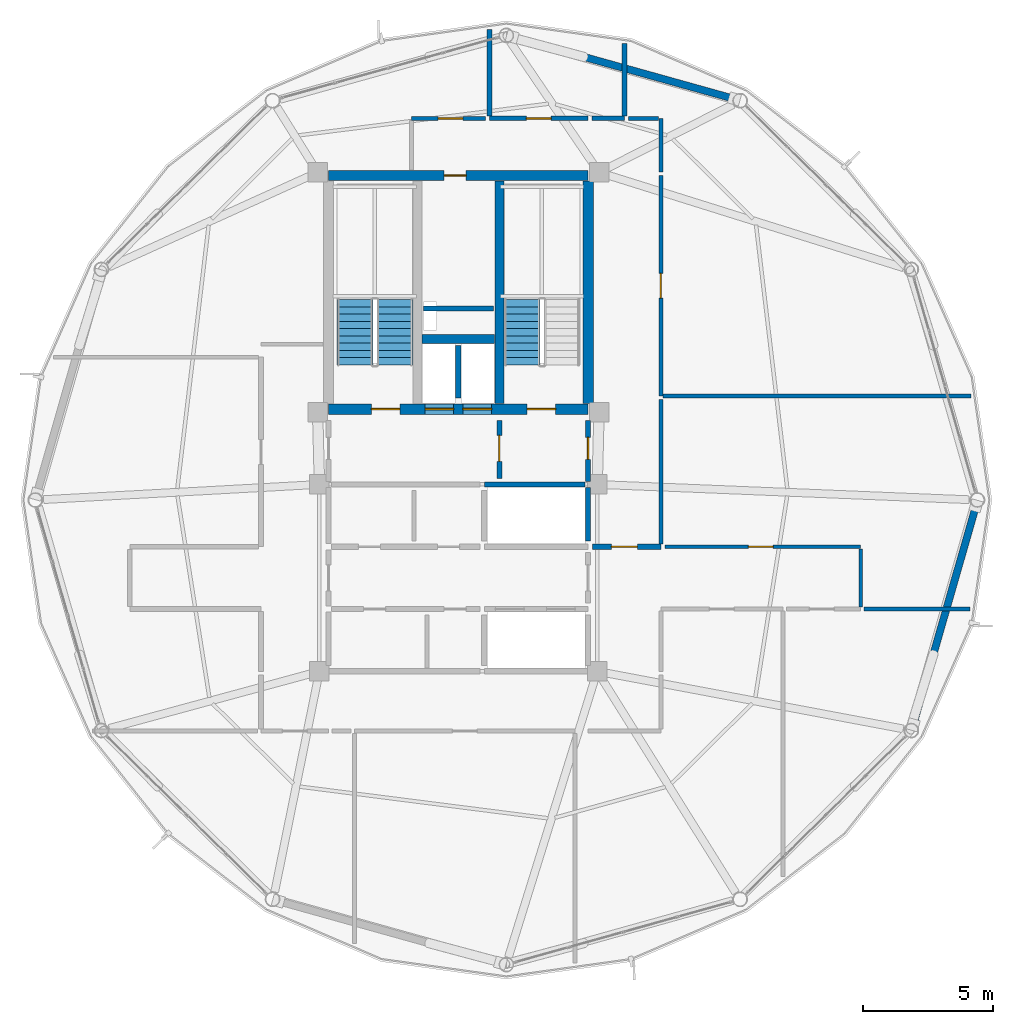
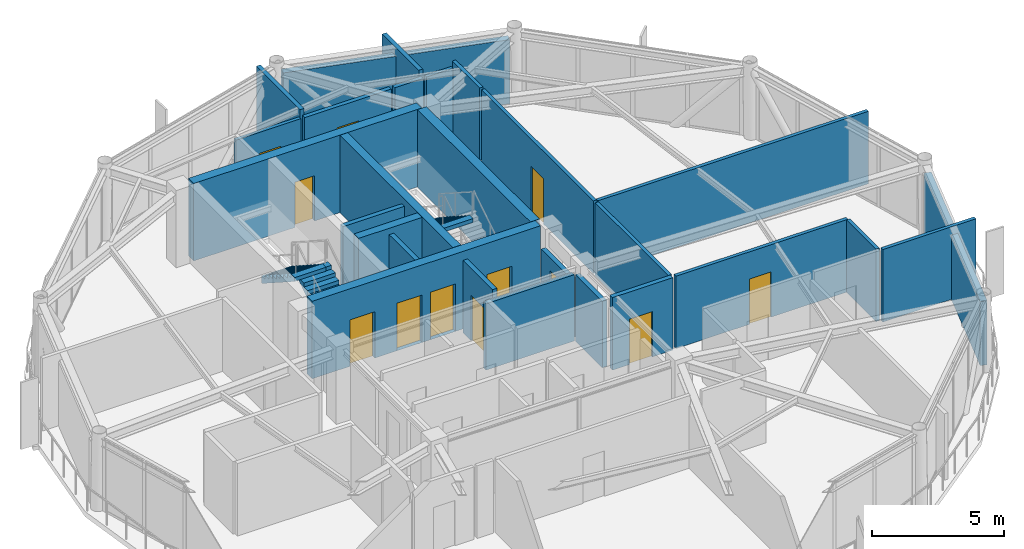
# One storey, part 22 of 26: 27 walls, 12 doors, 3 stair flights, 12 openings, 2 elements without a shape of their own.
"""IFC4 building model written with IfcOpenShell, lengths in metres."""

from ifc_helpers import new_model, si_unit, direction, frame, frame_2d, origin, place, context, subcontext, project, spatial, polyline, rectangle, outline, extrude, material, layer, layer_set, type_object, element, fill, aggregate, save


model = new_model("IFC4")

# Units and contexts
model_context = context("Model", 3, precision=1e-05, world=origin(), true_north=direction((0.0, 1.0)))
body_context = subcontext(model_context, "Body", "Model", "MODEL_VIEW")
ifc_project = project(units=[si_unit("LENGTHUNIT", "METRE"), si_unit("AREAUNIT", "SQUARE_METRE"), si_unit("VOLUMEUNIT", "CUBIC_METRE"), si_unit("PLANEANGLEUNIT", "RADIAN"), si_unit("MASSUNIT", "GRAM", prefix="KILO")], contexts=[model_context])

# Site, building, storey
site_placement = place(None, origin())
site = spatial("IfcSite", under=ifc_project, at=site_placement, CompositionType="ELEMENT")
building_placement = place(site_placement, origin())
building = spatial("IfcBuilding", under=site, at=building_placement, Name="Varnakorn Sky Granary", CompositionType="ELEMENT")
storey_placement = place(building_placement, frame((0.0, 0.0, 267.0)))
storey = spatial("IfcBuildingStorey", under=building, at=storey_placement, Name="L68", CompositionType="ELEMENT", Elevation=267.0)

# Walls
ifc_material_1 = material(Name="Concrete C50/60", Category="concrete")
ifc_layer_1 = layer(ifc_material_1, 0.35009765625, Name="Concrete C50/60")
ifc_layer_set_1 = layer_set([ifc_layer_1], Name="Concrete C50/60")
wall_type_1 = type_object("IfcWallType", Name="WT-CW-INT-350", PredefinedType="SHEAR", material=ifc_layer_set_1)
wall_1_placement = place(storey_placement, frame((4.580078125, 3.7099609375, 0.0), z_axis=(0.0, 0.0, 1.0), x_axis=(0.0, 1.0, 0.0)))
element("IfcWall", 1, at=wall_1_placement, inside=storey, type_object=wall_type_1, Name="Stair ST-2 Core Wall L68", PredefinedType="SHEAR", context=body_context, shape_type="SweptSolid", body=[
    extrude(rectangle(XDim=8.580078125, YDim=0.35009765625, at=frame_2d((4.2900390625, 0.0))), origin(), (0.0, 0.0, 1.0), 3.592041015625),
])
wall_2_placement = place(storey_placement, frame((1.610107421875, 6.199951171875, 0.0), z_axis=(0.0, 0.0, 1.0), x_axis=(1.0, 0.0, 0.0)))
element("IfcWall", 2, at=wall_2_placement, inside=storey, type_object=wall_type_1, Name="Core Lift Shaft Cross Wall L68", PredefinedType="SHEAR", context=body_context, shape_type="SweptSolid", body=[
    extrude(rectangle(XDim=2.77978515625, YDim=0.35009765625, at=frame_2d((1.389892578125, 0.0))), origin(), (0.0, 0.0, 1.0), 3.592041015625),
])

# Wall, openings, doors
ifc_layer_2 = layer(ifc_material_1, 0.39990234375, Name="Concrete C50/60")
ifc_layer_set_2 = layer_set([ifc_layer_2], Name="Concrete C50/60")
wall_type_2 = type_object("IfcWallType", Name="WT-CW-SHEAR-400", PredefinedType="SHEAR", material=ifc_layer_set_2)
wall_3_placement = place(storey_placement, frame((-2.0, 3.5, 0.0), z_axis=(0.0, 0.0, 1.0), x_axis=(1.0, 0.0, 0.0)))
wall_3 = element("IfcWall", 3, at=wall_3_placement, inside=storey, type_object=wall_type_2, Name="Core South Shear Wall L68", PredefinedType="SHEAR", context=body_context, shape_type="SweptSolid", body=[
    extrude(rectangle(XDim=10.0, YDim=0.39990234375, at=frame_2d((5.0, 0.0))), origin(), (0.0, 0.0, 1.0), 3.592041015625),
])
opening_1_placement = place(wall_3_placement, frame((1.64990234375, 0.0, 0.0)))
opening_1 = element("IfcOpeningElement", 4, at=opening_1_placement, cuts=wall_3, Name="Opening FD-90", PredefinedType="OPENING", context=body_context, shape_type="SweptSolid", body=[
    extrude(rectangle(XDim=1.10009765625, YDim=2.14990234375, at=frame_2d((0.550048828125, 1.074951171875))), frame((0.0, 0.2099609375, 0.0), z_axis=(0.0, -1.0, 0.0), x_axis=(1.0, 0.0, 0.0)), (0.0, 0.0, 1.0), 0.419921875),
])
opening_2_placement = place(wall_3_placement, frame((7.64990234375, 0.0, 0.0)))
opening_2 = element("IfcOpeningElement", 5, at=opening_2_placement, cuts=wall_3, Name="Opening FD-90", PredefinedType="OPENING", context=body_context, shape_type="SweptSolid", body=[
    extrude(rectangle(XDim=1.10009765625, YDim=2.14990234375, at=frame_2d((0.550048828125, 1.074951171875))), frame((0.0, 0.2099609375, 0.0), z_axis=(0.0, -1.0, 0.0), x_axis=(1.0, 0.0, 0.0)), (0.0, 0.0, 1.0), 0.419921875),
])
opening_3_placement = place(wall_3_placement, frame((3.719970703125, 0.0, 0.0)))
opening_3 = element("IfcOpeningElement", 6, at=opening_3_placement, cuts=wall_3, Name="Opening LD-01", PredefinedType="OPENING", context=body_context, shape_type="SweptSolid", body=[
    extrude(rectangle(XDim=1.10009765625, YDim=2.199951171875, at=frame_2d((0.550048828125, 1.10009765625))), frame((0.0, 0.2099609375, 0.0), z_axis=(0.0, -1.0, 0.0), x_axis=(1.0, 0.0, 0.0)), (0.0, 0.0, 1.0), 0.419921875),
])
opening_4_placement = place(wall_3_placement, frame((5.179931640625, 0.0, 0.0)))
opening_4 = element("IfcOpeningElement", 7, at=opening_4_placement, cuts=wall_3, Name="Opening LD-01", PredefinedType="OPENING", context=body_context, shape_type="SweptSolid", body=[
    extrude(rectangle(XDim=1.10009765625, YDim=2.199951171875, at=frame_2d((0.550048828125, 1.10009765625))), frame((0.0, 0.2099609375, 0.0), z_axis=(0.0, -1.0, 0.0), x_axis=(1.0, 0.0, 0.0)), (0.0, 0.0, 1.0), 0.419921875),
])
ifc_material_2 = material(Name="Brushed Bronze Stainless Steel", Category="steel")
door_type_1 = type_object("IfcDoorType", Name="DR-LD-1100", OperationType="DOUBLE_DOOR_SLIDING", PredefinedType="DOOR", material=ifc_material_2)
door_1_placement = place(opening_3_placement, origin())
door_1 = element("IfcDoor", 8, at=door_1_placement, inside=storey, type_object=door_type_1, Name="Firefighting Lift FFL-1 Landing Door L68", OperationType="DOUBLE_DOOR_SLIDING", OverallHeight=2.199951171875, OverallWidth=1.10009765625, PredefinedType="DOOR", context=body_context, shape_type="SweptSolid", body=[
    extrude(rectangle(XDim=1.10009765625, YDim=2.199951171875, at=frame_2d((0.550048828125, 1.10009765625))), frame((0.0, 0.02490234375, 0.0), z_axis=(0.0, -1.0, 0.0), x_axis=(1.0, 0.0, 0.0)), (0.0, 0.0, 1.0), 0.050048828125),
])
fill(opening_3, door_1)
door_2_placement = place(opening_4_placement, origin())
door_2 = element("IfcDoor", 9, at=door_2_placement, inside=storey, type_object=door_type_1, Name="Firefighting Lift FFL-2 Landing Door L68", OperationType="DOUBLE_DOOR_SLIDING", OverallHeight=2.199951171875, OverallWidth=1.10009765625, PredefinedType="DOOR", context=body_context, shape_type="SweptSolid", body=[
    extrude(rectangle(XDim=1.10009765625, YDim=2.199951171875, at=frame_2d((0.550048828125, 1.10009765625))), frame((0.0, 0.02490234375, 0.0), z_axis=(0.0, -1.0, 0.0), x_axis=(1.0, 0.0, 0.0)), (0.0, 0.0, 1.0), 0.050048828125),
])
fill(opening_4, door_2)
ifc_material_3 = material(Name="Galvanised Painted Steel Leaf", Category="steel")
door_type_2 = type_object("IfcDoorType", Name="DR-STAIR-1100", OperationType="NOTDEFINED", PredefinedType="DOOR", material=ifc_material_3)
door_3_placement = place(opening_1_placement, origin())
door_3 = element("IfcDoor", 10, at=door_3_placement, inside=storey, type_object=door_type_2, Name="Stair ST-1 Protected Fire Door L68", OperationType="SINGLE_SWING_LEFT", OverallHeight=2.14990234375, OverallWidth=1.10009765625, PredefinedType="DOOR", context=body_context, shape_type="SweptSolid", body=[
    extrude(rectangle(XDim=1.10009765625, YDim=2.14990234375, at=frame_2d((0.550048828125, 1.074951171875))), frame((0.0, 0.02490234375, 0.0), z_axis=(0.0, -1.0, 0.0), x_axis=(1.0, 0.0, 0.0)), (0.0, 0.0, 1.0), 0.050048828125),
])
fill(opening_1, door_3)
door_4_placement = place(opening_2_placement, origin())
door_4 = element("IfcDoor", 11, at=door_4_placement, inside=storey, type_object=door_type_2, Name="Stair ST-2 Protected Fire Door L68", OperationType="SINGLE_SWING_RIGHT", OverallHeight=2.14990234375, OverallWidth=1.10009765625, PredefinedType="DOOR", context=body_context, shape_type="SweptSolid", body=[
    extrude(rectangle(XDim=1.10009765625, YDim=2.14990234375, at=frame_2d((0.550048828125, 1.074951171875))), frame((0.0, 0.02490234375, 0.0), z_axis=(0.0, -1.0, 0.0), x_axis=(1.0, 0.0, 0.0)), (0.0, 0.0, 1.0), 0.050048828125),
])
fill(opening_2, door_4)

# Wall, opening, door
wall_4_placement = place(storey_placement, frame((-2.0, 12.5, 0.0), z_axis=(0.0, 0.0, 1.0), x_axis=(1.0, 0.0, 0.0)))
wall_4 = element("IfcWall", 12, at=wall_4_placement, inside=storey, type_object=wall_type_2, Name="Core North Shear Wall L68", PredefinedType="SHEAR", context=body_context, shape_type="SweptSolid", body=[
    extrude(rectangle(XDim=10.0, YDim=0.39990234375, at=frame_2d((5.0, 0.0))), origin(), (0.0, 0.0, 1.0), 3.592041015625),
])
opening_5_placement = place(wall_4_placement, frame((4.449951171875, 0.0, 0.0)))
opening_5 = element("IfcOpeningElement", 13, at=opening_5_placement, cuts=wall_4, Name="Opening FD-60N", PredefinedType="OPENING", context=body_context, shape_type="SweptSolid", body=[
    extrude(rectangle(XDim=0.85009765625, YDim=2.10009765625, at=frame_2d((0.425048828125, 1.050048828125))), frame((0.0, 0.2099609375, 0.0), z_axis=(0.0, -1.0, 0.0), x_axis=(1.0, 0.0, 0.0)), (0.0, 0.0, 1.0), 0.419921875),
])
ifc_material_4 = material(Name="Acoustic Timber Fire Leaf", Category="wood")
door_type_3 = type_object("IfcDoorType", Name="DR-FD60-850", OperationType="NOTDEFINED", PredefinedType="DOOR", material=ifc_material_4)
door_5_placement = place(opening_5_placement, origin())
door_5 = element("IfcDoor", 14, at=door_5_placement, inside=storey, type_object=door_type_3, Name="Core North Service Door L68", OperationType="SINGLE_SWING_RIGHT", OverallHeight=2.10009765625, OverallWidth=0.85009765625, PredefinedType="DOOR", context=body_context, shape_type="SweptSolid", body=[
    extrude(rectangle(XDim=0.85009765625, YDim=2.10009765625, at=frame_2d((0.425048828125, 1.050048828125))), frame((0.0, 0.02490234375, 0.0), z_axis=(0.0, -1.0, 0.0), x_axis=(1.0, 0.0, 0.0)), (0.0, 0.0, 1.0), 0.050048828125),
])
fill(opening_5, door_5)

# Walls
wall_5_placement = place(storey_placement, frame((8.0, 3.7099609375, 0.0), z_axis=(0.0, 0.0, 1.0), x_axis=(0.0, 1.0, 0.0)))
element("IfcWall", 15, at=wall_5_placement, inside=storey, type_object=wall_type_2, Name="Core East Shear Wall L68", PredefinedType="SHEAR", context=body_context, shape_type="SweptSolid", body=[
    extrude(rectangle(XDim=8.580078125, YDim=0.39990234375, at=frame_2d((4.2900390625, 0.0))), origin(), (0.0, 0.0, 1.0), 3.592041015625),
])
ifc_material_5 = material(Name="Precast concrete C40/50", Category="concrete")
ifc_layer_3 = layer(ifc_material_5, 0.280029296875, Name="Precast concrete C40/50")
ifc_layer_set_3 = layer_set([ifc_layer_3], Name="Precast concrete C40/50")
wall_type_3 = type_object("IfcWallType", Name="WT-EW-CRN-280", PredefinedType="SOLIDWALL", material=ifc_layer_set_3)
wall_6_placement = place(storey_placement, frame((5.075927734375, 17.83984375, 0.0), z_axis=(0.0, 0.0, 1.0), x_axis=(0.963175454127, -0.268873659119, 0.0)))
element("IfcWall", 16, at=wall_6_placement, inside=storey, type_object=wall_type_3, Name="Agritech Insulated Precast Facade Wall L68-P03", PredefinedType="SOLIDWALL", context=body_context, shape_type="SweptSolid", body=[
    extrude(rectangle(XDim=8.8857421875, YDim=0.280029296875, at=frame_2d((4.44287109375, 0.0))), origin(), (0.0, 0.0, 1.0), 2.969970703125),
])
wall_7_placement = place(storey_placement, frame((22.94140625, -0.225341796875, 0.0), z_axis=(0.0, 0.0, 1.0), x_axis=(-0.275841867593, -0.961203029585, 0.0)))
element("IfcWall", 17, at=wall_7_placement, inside=storey, type_object=wall_type_3, Name="Agritech Insulated Precast Facade Wall L68-P12", PredefinedType="SOLIDWALL", context=body_context, shape_type="SweptSolid", body=[
    extrude(rectangle(XDim=8.773681640625, YDim=0.280029296875, at=frame_2d((4.38671875, 0.0))), origin(), (0.0, 0.0, 1.0), 2.969970703125),
])

# Wall, opening, door
ifc_material_6 = material(Name="Autoclaved Aerated Concrete Blockwork", Category="masonry")
ifc_layer_4 = layer(ifc_material_6, 0.199951171875, Name="Autoclaved Aerated Concrete Blockwork")
ifc_layer_set_4 = layer_set([ifc_layer_4], Name="Autoclaved Aerated Concrete Blockwork")
wall_type_4 = type_object("IfcWallType", Name="WT-FIRE-200", PredefinedType="MOVABLE", material=ifc_layer_set_4)
wall_8_placement = place(storey_placement, frame((4.580078125, 0.830078125, 0.0), z_axis=(0.0, 0.0, 1.0), x_axis=(0.0, 1.0, 0.0)))
wall_8 = element("IfcWall", 18, at=wall_8_placement, inside=storey, type_object=wall_type_4, Name="Interior Partition Wall L68-011", PredefinedType="MOVABLE", context=body_context, shape_type="SweptSolid", body=[
    extrude(rectangle(XDim=2.239990234375, YDim=0.199951171875, at=frame_2d((1.1201171875, 0.0))), origin(), (0.0, 0.0, 1.0), 3.360107421875),
])
opening_6_placement = place(wall_8_placement, frame((0.659912109375, 0.0, 0.0)))
opening_6 = element("IfcOpeningElement", 19, at=opening_6_placement, cuts=wall_8, Name="Opening FD-60", PredefinedType="OPENING", context=body_context, shape_type="SweptSolid", body=[
    extrude(rectangle(XDim=1.0, YDim=2.10009765625, at=frame_2d((0.5, 1.050048828125))), frame((0.0, 0.10986328125, 0.0), z_axis=(0.0, -1.0, 0.0), x_axis=(1.0, 0.0, 0.0)), (0.0, 0.0, 1.0), 0.219970703125),
])
door_type_4 = type_object("IfcDoorType", Name="DR-FD60-1000", OperationType="NOTDEFINED", PredefinedType="DOOR", material=ifc_material_4)
door_6_placement = place(opening_6_placement, origin())
door_6 = element("IfcDoor", 20, at=door_6_placement, inside=storey, type_object=door_type_4, Name="Interior Door L68-011-1", OperationType="SINGLE_SWING_RIGHT", OverallHeight=2.10009765625, OverallWidth=1.0, PredefinedType="DOOR", context=body_context, shape_type="SweptSolid", body=[
    extrude(rectangle(XDim=1.0, YDim=2.10009765625, at=frame_2d((0.5, 1.050048828125))), frame((0.0, 0.02490234375, 0.0), z_axis=(0.0, -1.0, 0.0), x_axis=(1.0, 0.0, 0.0)), (0.0, 0.0, 1.0), 0.050048828125),
])
fill(opening_6, door_6)

wall_9_placement = place(storey_placement, frame((8.0, 0.719970703125, 0.0), z_axis=(0.0, 0.0, 1.0), x_axis=(0.0, 1.0, 0.0)))
wall_9 = element("IfcWall", 21, at=wall_9_placement, inside=storey, type_object=wall_type_4, Name="Interior Partition Wall L68-013", PredefinedType="MOVABLE", context=body_context, shape_type="SweptSolid", body=[
    extrude(rectangle(XDim=2.35009765625, YDim=0.199951171875, at=frame_2d((1.175048828125, 0.0))), origin(), (0.0, 0.0, 1.0), 2.69189453125),
])
opening_7_placement = place(wall_9_placement, frame((0.844970703125, 0.0, 0.0)))
opening_7 = element("IfcOpeningElement", 22, at=opening_7_placement, cuts=wall_9, Name="Opening FD-60N", PredefinedType="OPENING", context=body_context, shape_type="SweptSolid", body=[
    extrude(rectangle(XDim=0.85009765625, YDim=2.10009765625, at=frame_2d((0.425048828125, 1.050048828125))), frame((0.0, 0.10986328125, 0.0), z_axis=(0.0, -1.0, 0.0), x_axis=(1.0, 0.0, 0.0)), (0.0, 0.0, 1.0), 0.219970703125),
])
door_7_placement = place(opening_7_placement, origin())
door_7 = element("IfcDoor", 23, at=door_7_placement, inside=storey, type_object=door_type_3, Name="Interior Door L68-013-1", OperationType="SINGLE_SWING_RIGHT", OverallHeight=2.10009765625, OverallWidth=0.85009765625, PredefinedType="DOOR", context=body_context, shape_type="SweptSolid", body=[
    extrude(rectangle(XDim=0.85009765625, YDim=2.10009765625, at=frame_2d((0.425048828125, 1.050048828125))), frame((0.0, 0.02490234375, 0.0), z_axis=(0.0, -1.0, 0.0), x_axis=(1.0, 0.0, 0.0)), (0.0, 0.0, 1.0), 0.050048828125),
])
fill(opening_7, door_7)

wall_10_placement = place(storey_placement, frame((8.159912109375, -1.800048828125, 0.0), z_axis=(0.0, 0.0, 1.0), x_axis=(1.0, 0.0, 0.0)))
wall_10 = element("IfcWall", 24, at=wall_10_placement, inside=storey, type_object=wall_type_4, Name="Interior Partition Wall L68-018", PredefinedType="MOVABLE", context=body_context, shape_type="SweptSolid", body=[
    extrude(rectangle(XDim=2.64013671875, YDim=0.199951171875, at=frame_2d((1.320068359375, 0.0))), origin(), (0.0, 0.0, 1.0), 3.360107421875),
])
opening_8_placement = place(wall_10_placement, frame((0.739990234375, 0.0, 0.0)))
opening_8 = element("IfcOpeningElement", 25, at=opening_8_placement, cuts=wall_10, Name="Opening FD-60", PredefinedType="OPENING", context=body_context, shape_type="SweptSolid", body=[
    extrude(rectangle(XDim=1.0, YDim=2.10009765625, at=frame_2d((0.5, 1.050048828125))), frame((0.0, 0.10986328125, 0.0), z_axis=(0.0, -1.0, 0.0), x_axis=(1.0, 0.0, 0.0)), (0.0, 0.0, 1.0), 0.219970703125),
])
door_8_placement = place(opening_8_placement, origin())
door_8 = element("IfcDoor", 26, at=door_8_placement, inside=storey, type_object=door_type_4, Name="Interior Door L68-018-1", OperationType="SINGLE_SWING_LEFT", OverallHeight=2.10009765625, OverallWidth=1.0, PredefinedType="DOOR", context=body_context, shape_type="SweptSolid", body=[
    extrude(rectangle(XDim=1.0, YDim=2.10009765625, at=frame_2d((0.5, 1.050048828125))), frame((0.0, 0.02490234375, 0.0), z_axis=(0.0, -1.0, 0.0), x_axis=(1.0, 0.0, 0.0)), (0.0, 0.0, 1.0), 0.050048828125),
])
fill(opening_8, door_8)

ifc_material_7 = material(Name="Gypsum Plasterboard on Steel Stud", Category="steel")
ifc_layer_5 = layer(ifc_material_7, 0.14990234375, Name="Gypsum Plasterboard on Steel Stud")
ifc_layer_set_5 = layer_set([ifc_layer_5], Name="Gypsum Plasterboard on Steel Stud")
wall_type_5 = type_object("IfcWallType", Name="WT-PART-150", PredefinedType="PARTITIONING", material=ifc_layer_set_5)
wall_11_placement = place(storey_placement, frame((4.050048828125, 14.699951171875, 0.0), z_axis=(0.0, 0.0, 1.0), x_axis=(-1.0, 0.0, 0.0)))
wall_11 = element("IfcWall", 27, at=wall_11_placement, inside=storey, type_object=wall_type_5, Name="Interior Partition Wall L68-025", PredefinedType="PARTITIONING", context=body_context, shape_type="SweptSolid", body=[
    extrude(rectangle(XDim=2.85009765625, YDim=0.14990234375, at=frame_2d((1.425048828125, 0.0))), origin(), (0.0, 0.0, 1.0), 3.072021484375),
])
opening_9_placement = place(wall_11_placement, frame((0.875, 0.0, 0.0)))
opening_9 = element("IfcOpeningElement", 28, at=opening_9_placement, cuts=wall_11, Name="Opening ID-95", PredefinedType="OPENING", context=body_context, shape_type="SweptSolid", body=[
    extrude(rectangle(XDim=0.949951171875, YDim=2.10009765625, at=frame_2d((0.47509765625, 1.050048828125))), frame((0.0, 0.0849609375, 0.0), z_axis=(0.0, -1.0, 0.0), x_axis=(1.0, 0.0, 0.0)), (0.0, 0.0, 1.0), 0.169921875),
])
ifc_material_8 = material(Name="Solid-Core Teak Veneer Leaf", Category="timber")
door_type_5 = type_object("IfcDoorType", Name="DR-INT-950", OperationType="NOTDEFINED", PredefinedType="DOOR", material=ifc_material_8)
door_9_placement = place(opening_9_placement, origin())
door_9 = element("IfcDoor", 29, at=door_9_placement, inside=storey, type_object=door_type_5, Name="Interior Door L68-025-1", OperationType="SINGLE_SWING_RIGHT", OverallHeight=2.10009765625, OverallWidth=0.949951171875, PredefinedType="DOOR", context=body_context, shape_type="SweptSolid", body=[
    extrude(rectangle(XDim=0.949951171875, YDim=2.10009765625, at=frame_2d((0.47509765625, 1.050048828125))), frame((0.0, 0.02490234375, 0.0), z_axis=(0.0, -1.0, 0.0), x_axis=(1.0, 0.0, 0.0)), (0.0, 0.0, 1.0), 0.050048828125),
])
fill(opening_9, door_9)

wall_12_placement = place(storey_placement, frame((18.5, -1.800048828125, 0.0), z_axis=(0.0, 0.0, 1.0), x_axis=(-1.0, 0.0, 0.0)))
wall_12 = element("IfcWall", 30, at=wall_12_placement, inside=storey, type_object=wall_type_5, Name="Interior Partition Wall L68-026", PredefinedType="PARTITIONING", context=body_context, shape_type="SweptSolid", body=[
    extrude(rectangle(XDim=7.5400390625, YDim=0.14990234375, at=frame_2d((3.77001953125, 0.0))), origin(), (0.0, 0.0, 1.0), 3.360107421875),
])
opening_10_placement = place(wall_12_placement, frame((3.375, 0.0, 0.0)))
opening_10 = element("IfcOpeningElement", 31, at=opening_10_placement, cuts=wall_12, Name="Opening ID-95", PredefinedType="OPENING", context=body_context, shape_type="SweptSolid", body=[
    extrude(rectangle(XDim=0.949951171875, YDim=2.10009765625, at=frame_2d((0.47509765625, 1.050048828125))), frame((0.0, 0.0849609375, 0.0), z_axis=(0.0, -1.0, 0.0), x_axis=(1.0, 0.0, 0.0)), (0.0, 0.0, 1.0), 0.169921875),
])
door_10_placement = place(opening_10_placement, origin())
door_10 = element("IfcDoor", 32, at=door_10_placement, inside=storey, type_object=door_type_5, Name="Interior Door L68-026-1", OperationType="SINGLE_SWING_LEFT", OverallHeight=2.10009765625, OverallWidth=0.949951171875, PredefinedType="DOOR", context=body_context, shape_type="SweptSolid", body=[
    extrude(rectangle(XDim=0.949951171875, YDim=2.10009765625, at=frame_2d((0.47509765625, 1.050048828125))), frame((0.0, 0.02490234375, 0.0), z_axis=(0.0, -1.0, 0.0), x_axis=(1.0, 0.0, 0.0)), (0.0, 0.0, 1.0), 0.050048828125),
])
fill(opening_10, door_10)

wall_13_placement = place(storey_placement, frame((10.800048828125, 4.0, 0.0), z_axis=(0.0, 0.0, 1.0), x_axis=(0.0, 1.0, 0.0)))
wall_13 = element("IfcWall", 33, at=wall_13_placement, inside=storey, type_object=wall_type_5, Name="Interior Partition Wall L68-027", PredefinedType="PARTITIONING", context=body_context, shape_type="SweptSolid", body=[
    extrude(rectangle(XDim=8.5, YDim=0.14990234375, at=frame_2d((4.25, 0.0))), origin(), (0.0, 0.0, 1.0), 3.360107421875),
])
opening_11_placement = place(wall_13_placement, frame((3.77490234375, 0.0, 0.0)))
opening_11 = element("IfcOpeningElement", 34, at=opening_11_placement, cuts=wall_13, Name="Opening ID-95", PredefinedType="OPENING", context=body_context, shape_type="SweptSolid", body=[
    extrude(rectangle(XDim=0.949951171875, YDim=2.10009765625, at=frame_2d((0.47509765625, 1.050048828125))), frame((0.0, 0.0849609375, 0.0), z_axis=(0.0, -1.0, 0.0), x_axis=(1.0, 0.0, 0.0)), (0.0, 0.0, 1.0), 0.169921875),
])
door_11_placement = place(opening_11_placement, origin())
door_11 = element("IfcDoor", 35, at=door_11_placement, inside=storey, type_object=door_type_5, Name="Interior Door L68-027-1", OperationType="SINGLE_SWING_RIGHT", OverallHeight=2.10009765625, OverallWidth=0.949951171875, PredefinedType="DOOR", context=body_context, shape_type="SweptSolid", body=[
    extrude(rectangle(XDim=0.949951171875, YDim=2.10009765625, at=frame_2d((0.47509765625, 1.050048828125))), frame((0.0, 0.02490234375, 0.0), z_axis=(0.0, -1.0, 0.0), x_axis=(1.0, 0.0, 0.0)), (0.0, 0.0, 1.0), 0.050048828125),
])
fill(opening_11, door_11)

# Walls
wall_14_placement = place(storey_placement, frame((18.635009765625, -4.199951171875, 0.0), z_axis=(0.0, 0.0, 1.0), x_axis=(1.0, 0.0, 0.0)))
element("IfcWall", 36, at=wall_14_placement, inside=storey, type_object=wall_type_5, Name="Interior Partition Wall L68-043", PredefinedType="PARTITIONING", context=body_context, shape_type="SweptSolid", body=[
    extrude(rectangle(XDim=4.080078125, YDim=0.14990234375, at=frame_2d((2.0400390625, 0.0))), origin(), (0.0, 0.0, 1.0), 3.360107421875),
])
wall_15_placement = place(storey_placement, frame((18.5, -4.114990234375, 0.0), z_axis=(0.0, 0.0, 1.0), x_axis=(0.0, 1.0, 0.0)))
element("IfcWall", 37, at=wall_15_placement, inside=storey, type_object=wall_type_5, Name="Interior Partition Wall L68-053", PredefinedType="PARTITIONING", context=body_context, shape_type="SweptSolid", body=[
    extrude(rectangle(XDim=2.22998046875, YDim=0.14990234375, at=frame_2d((1.114990234375, 0.0))), origin(), (0.0, 0.0, 1.0), 3.360107421875),
])
wall_16_placement = place(storey_placement, frame((10.800048828125, -1.68994140625, 0.0), z_axis=(0.0, 0.0, 1.0), x_axis=(0.0, 1.0, 0.0)))
element("IfcWall", 38, at=wall_16_placement, inside=storey, type_object=wall_type_5, Name="Interior Partition Wall L68-054", PredefinedType="PARTITIONING", context=body_context, shape_type="SweptSolid", body=[
    extrude(rectangle(XDim=5.554931640625, YDim=0.14990234375, at=frame_2d((2.77734375, 0.0))), origin(), (0.0, 0.0, 1.0), 3.360107421875),
])
wall_17_placement = place(storey_placement, frame((10.885009765625, 4.0, 0.0), z_axis=(0.0, 0.0, 1.0), x_axis=(1.0, 0.0, 0.0)))
element("IfcWall", 39, at=wall_17_placement, inside=storey, type_object=wall_type_5, Name="Interior Partition Wall L68-055", PredefinedType="PARTITIONING", context=body_context, shape_type="SweptSolid", body=[
    extrude(rectangle(XDim=11.85888671875, YDim=0.14990234375, at=frame_2d((5.929443359375, 0.0))), origin(), (0.0, 0.0, 1.0), 3.360107421875),
])
wall_18_placement = place(storey_placement, frame((10.800048828125, 12.635009765625, 0.0), z_axis=(0.0, 0.0, 1.0), x_axis=(0.0, 1.0, 0.0)))
element("IfcWall", 40, at=wall_18_placement, inside=storey, type_object=wall_type_5, Name="Interior Partition Wall L68-056", PredefinedType="PARTITIONING", context=body_context, shape_type="SweptSolid", body=[
    extrude(rectangle(XDim=2.06494140625, YDim=0.14990234375, at=frame_2d((1.032470703125, 0.0))), origin(), (0.0, 0.0, 1.0), 3.360107421875),
])
wall_19_placement = place(storey_placement, frame((10.715087890625, 14.699951171875, 0.0), z_axis=(0.0, 0.0, 1.0), x_axis=(-1.0, 0.0, 0.0)))
element("IfcWall", 41, at=wall_19_placement, inside=storey, type_object=wall_type_5, Name="Interior Partition Wall L68-057", PredefinedType="PARTITIONING", context=body_context, shape_type="SweptSolid", body=[
    extrude(rectangle(XDim=1.1650390625, YDim=0.14990234375, at=frame_2d((0.58251953125, 0.0))), origin(), (0.0, 0.0, 1.0), 3.072021484375),
])

# Wall, opening, door
ifc_material_9 = material(Name="Moisture-Resistant Gypsum on Stud", Category="gypsum")
ifc_layer_6 = layer(ifc_material_9, 0.179931640625, Name="Moisture-Resistant Gypsum on Stud")
ifc_layer_set_6 = layer_set([ifc_layer_6], Name="Moisture-Resistant Gypsum on Stud")
wall_type_6 = type_object("IfcWallType", Name="WT-PLUMB-180", PredefinedType="PLUMBINGWALL", material=ifc_layer_set_6)
wall_20_placement = place(storey_placement, frame((8.0, 14.699951171875, 0.0), z_axis=(0.0, 0.0, 1.0), x_axis=(-1.0, 0.0, 0.0)))
wall_20 = element("IfcWall", 42, at=wall_20_placement, inside=storey, type_object=wall_type_6, Name="Interior Partition Wall L68-019", PredefinedType="PLUMBINGWALL", context=body_context, shape_type="SweptSolid", body=[
    extrude(rectangle(XDim=3.800048828125, YDim=0.179931640625, at=frame_2d((1.89990234375, 0.0))), origin(), (0.0, 0.0, 1.0), 3.072021484375),
])
opening_12_placement = place(wall_20_placement, frame((1.425048828125, 0.0, 0.0)))
opening_12 = element("IfcOpeningElement", 43, at=opening_12_placement, cuts=wall_20, Name="Opening ID-95", PredefinedType="OPENING", context=body_context, shape_type="SweptSolid", body=[
    extrude(rectangle(XDim=0.949951171875, YDim=2.10009765625, at=frame_2d((0.47509765625, 1.050048828125))), frame((0.0, 0.10009765625, 0.0), z_axis=(0.0, -1.0, 0.0), x_axis=(1.0, 0.0, 0.0)), (0.0, 0.0, 1.0), 0.199951171875),
])
door_12_placement = place(opening_12_placement, origin())
door_12 = element("IfcDoor", 44, at=door_12_placement, inside=storey, type_object=door_type_5, Name="Interior Door L68-019-1", OperationType="SINGLE_SWING_RIGHT", OverallHeight=2.10009765625, OverallWidth=0.949951171875, PredefinedType="DOOR", context=body_context, shape_type="SweptSolid", body=[
    extrude(rectangle(XDim=0.949951171875, YDim=2.10009765625, at=frame_2d((0.47509765625, 1.050048828125))), frame((0.0, 0.02490234375, 0.0), z_axis=(0.0, -1.0, 0.0), x_axis=(1.0, 0.0, 0.0)), (0.0, 0.0, 1.0), 0.050048828125),
])
fill(opening_12, door_12)

# Walls
wall_21_placement = place(storey_placement, frame((9.39990234375, 14.699951171875, 0.0), z_axis=(0.0, 0.0, 1.0), x_axis=(-1.0, 0.0, 0.0)))
element("IfcWall", 45, at=wall_21_placement, inside=storey, type_object=wall_type_6, Name="Interior Partition Wall L68-034", PredefinedType="PLUMBINGWALL", context=body_context, shape_type="SweptSolid", body=[
    extrude(rectangle(XDim=1.25, YDim=0.179931640625, at=frame_2d((0.625, 0.0))), origin(), (0.0, 0.0, 1.0), 3.072021484375),
])
wall_22_placement = place(storey_placement, frame((4.199951171875, 18.1220703125, 0.0), z_axis=(0.0, 0.0, 1.0), x_axis=(0.0, -1.0, 0.0)))
element("IfcWall", 46, at=wall_22_placement, inside=storey, type_object=wall_type_6, Name="Interior Partition Wall L68-052", PredefinedType="PLUMBINGWALL", context=body_context, shape_type="SweptSolid", body=[
    extrude(rectangle(XDim=3.322021484375, YDim=0.179931640625, at=frame_2d((1.6611328125, 0.0))), origin(), (0.0, 0.0, 1.0), 3.360107421875),
])
wall_23_placement = place(storey_placement, frame((9.39990234375, 14.800048828125, 0.0), z_axis=(0.0, 0.0, 1.0), x_axis=(0.0, 1.0, 0.0)))
element("IfcWall", 47, at=wall_23_placement, inside=storey, type_object=wall_type_6, Name="Interior Partition Wall L68-058", PredefinedType="PLUMBINGWALL", context=body_context, shape_type="SweptSolid", body=[
    extrude(rectangle(XDim=2.779052734375, YDim=0.179931640625, at=frame_2d((1.3896484375, 0.0))), origin(), (0.0, 0.0, 1.0), 3.360107421875),
])
ifc_layer_7 = layer(ifc_material_6, 0.199951171875, Name="Autoclaved Aerated Concrete Blockwork")
ifc_layer_set_7 = layer_set([ifc_layer_7], Name="Autoclaved Aerated Concrete Blockwork")
wall_type_7 = type_object("IfcWallType", Name="WT-SHAFT-200", PredefinedType="SOLIDWALL", material=ifc_layer_set_7)
wall_24_placement = place(storey_placement, frame((3.0, 3.919921875, 0.0), z_axis=(0.0, 0.0, 1.0), x_axis=(0.0, 1.0, 0.0)))
element("IfcWall", 48, at=wall_24_placement, inside=storey, type_object=wall_type_7, Name="Interior Partition Wall L68-001", PredefinedType="SOLIDWALL", context=body_context, shape_type="SweptSolid", body=[
    extrude(rectangle(XDim=2.030029296875, YDim=0.199951171875, at=frame_2d((1.01513671875, 0.0))), origin(), (0.0, 0.0, 1.0), 3.360107421875),
])
wall_25_placement = place(storey_placement, frame((1.64990234375, 7.3798828125, 0.0), z_axis=(0.0, 0.0, 1.0), x_axis=(1.0, 0.0, 0.0)))
element("IfcWall", 49, at=wall_25_placement, inside=storey, type_object=wall_type_7, Name="Interior Partition Wall L68-002", PredefinedType="SOLIDWALL", context=body_context, shape_type="SweptSolid", body=[
    extrude(rectangle(XDim=2.7001953125, YDim=0.199951171875, at=frame_2d((1.35009765625, 0.0))), origin(), (0.0, 0.0, 1.0), 3.360107421875),
])
wall_26_placement = place(storey_placement, frame((4.0, 0.60009765625, 0.0), z_axis=(0.0, 0.0, 1.0), x_axis=(1.0, 0.0, 0.0)))
element("IfcWall", 50, at=wall_26_placement, inside=storey, type_object=wall_type_7, Name="Interior Partition Wall L68-003", PredefinedType="SOLIDWALL", context=body_context, shape_type="SweptSolid", body=[
    extrude(rectangle(XDim=3.8798828125, YDim=0.199951171875, at=frame_2d((1.93994140625, 0.0))), origin(), (0.0, 0.0, 1.0), 3.072021484375),
])
wall_27_placement = place(storey_placement, frame((8.0, -1.570068359375, 0.0), z_axis=(0.0, 0.0, 1.0), x_axis=(0.0, 1.0, 0.0)))
element("IfcWall", 51, at=wall_27_placement, inside=storey, type_object=wall_type_7, Name="Interior Partition Wall L68-006", PredefinedType="SOLIDWALL", context=body_context, shape_type="SweptSolid", body=[
    extrude(rectangle(XDim=2.050048828125, YDim=0.199951171875, at=frame_2d((1.02490234375, 0.0))), origin(), (0.0, 0.0, 1.0), 3.072021484375),
])

# Stair, stair flights
ifc_material_10 = material(Name="Concrete C40/50", Category="concrete")
stair_type = type_object("IfcStairType", Name="ST-MAIN-ASSEMBLY", PredefinedType="HALF_TURN_STAIR", material=ifc_material_10)
stair_1_placement = place(storey_placement, origin())
stair_1 = element("IfcStair", 52, at=stair_1_placement, inside=storey, type_object=stair_type, Name="L68 Protected Exit Stair ST-1", PredefinedType="HALF_TURN_STAIR")
stair_flight_type = type_object("IfcStairFlightType", Name="ST-MAIN-FLIGHT", PredefinedType="STRAIGHT", material=ifc_material_10)
stair_flight_1_placement = place(storey_placement, frame((0.550048828125, 5.199951171875, 0.0), z_axis=(0.0, 0.0, 1.0), x_axis=(0.0, 1.0, 0.0)))
stair_flight_1 = element("IfcStairFlight", 53, at=stair_flight_1_placement, type_object=stair_flight_type, Name="ST-1 flight 1", NumberOfRisers=10, NumberOfTreads=9, PredefinedType="STRAIGHT", RiserHeight=0.18, TreadLength=0.28, context=body_context, shape_type="SweptSolid", body=[
    extrude(outline(polyline([(0.0, -0.14990234375), (0.0, 0.0), (0.0, 0.179931640625), (0.280029296875, 0.179931640625), (0.280029296875, 0.360107421875), (0.56005859375, 0.360107421875), (0.56005859375, 0.5400390625), (0.840087890625, 0.5400390625), (0.840087890625, 0.719970703125), (1.1201171875, 0.719970703125), (1.1201171875, 0.89990234375), (1.39990234375, 0.89990234375), (1.39990234375, 1.080078125), (1.679931640625, 1.080078125), (1.679931640625, 1.260009765625), (1.9599609375, 1.260009765625), (1.9599609375, 1.43994140625), (2.239990234375, 1.43994140625), (2.239990234375, 1.6201171875), (2.52001953125, 1.6201171875), (2.52001953125, 1.800048828125), (2.52001953125, 1.44189453125), (0.050048828125, -0.14990234375), (0.0, -0.14990234375)])), frame((0.0, 0.68994140625, 0.0), z_axis=(0.0, -1.0, 0.0), x_axis=(1.0, 0.0, 0.0)), (0.0, 0.0, 1.0), 1.3798828125),
])
stair_flight_2_placement = place(storey_placement, frame((-0.97998046875, 7.719970703125, 1.800048828125), z_axis=(0.0, 0.0, 1.0), x_axis=(0.0, -1.0, 0.0)))
stair_flight_2 = element("IfcStairFlight", 54, at=stair_flight_2_placement, type_object=stair_flight_type, Name="ST-1 flight 2", NumberOfRisers=10, NumberOfTreads=9, PredefinedType="STRAIGHT", RiserHeight=0.18, TreadLength=0.28, context=body_context, shape_type="SweptSolid", body=[
    extrude(outline(polyline([(0.0, -0.14990234375), (0.0, 0.0), (0.0, 0.179931640625), (0.280029296875, 0.179931640625), (0.280029296875, 0.360107421875), (0.56005859375, 0.360107421875), (0.56005859375, 0.5400390625), (0.840087890625, 0.5400390625), (0.840087890625, 0.719970703125), (1.1201171875, 0.719970703125), (1.1201171875, 0.89990234375), (1.39990234375, 0.89990234375), (1.39990234375, 1.080078125), (1.679931640625, 1.080078125), (1.679931640625, 1.260009765625), (1.9599609375, 1.260009765625), (1.9599609375, 1.43994140625), (2.239990234375, 1.43994140625), (2.239990234375, 1.6201171875), (2.52001953125, 1.6201171875), (2.52001953125, 1.800048828125), (2.52001953125, 1.44189453125), (0.050048828125, -0.14990234375), (0.0, -0.14990234375)])), frame((0.0, 0.68994140625, 0.0), z_axis=(0.0, -1.0, 0.0), x_axis=(1.0, 0.0, 0.0)), (0.0, 0.0, 1.0), 1.3798828125),
])
aggregate(stair_1, [stair_flight_1, stair_flight_2])

# Stair, stair flight
stair_2_placement = place(storey_placement, origin())
stair_2 = element("IfcStair", 55, at=stair_2_placement, inside=storey, type_object=stair_type, Name="L68 Protected Exit Stair ST-2", PredefinedType="HALF_TURN_STAIR")
stair_flight_3_placement = place(storey_placement, frame((5.4599609375, 7.719970703125, 1.800048828125), z_axis=(0.0, 0.0, 1.0), x_axis=(0.0, -1.0, 0.0)))
stair_flight_3 = element("IfcStairFlight", 56, at=stair_flight_3_placement, type_object=stair_flight_type, Name="ST-2 flight 2", NumberOfRisers=10, NumberOfTreads=9, PredefinedType="STRAIGHT", RiserHeight=0.18, TreadLength=0.28, context=body_context, shape_type="SweptSolid", body=[
    extrude(outline(polyline([(0.0, -0.14990234375), (0.0, 0.0), (0.0, 0.179931640625), (0.280029296875, 0.179931640625), (0.280029296875, 0.360107421875), (0.56005859375, 0.360107421875), (0.56005859375, 0.5400390625), (0.840087890625, 0.5400390625), (0.840087890625, 0.719970703125), (1.1201171875, 0.719970703125), (1.1201171875, 0.89990234375), (1.39990234375, 0.89990234375), (1.39990234375, 1.080078125), (1.679931640625, 1.080078125), (1.679931640625, 1.260009765625), (1.9599609375, 1.260009765625), (1.9599609375, 1.43994140625), (2.239990234375, 1.43994140625), (2.239990234375, 1.6201171875), (2.52001953125, 1.6201171875), (2.52001953125, 1.800048828125), (2.52001953125, 1.44189453125), (0.050048828125, -0.14990234375), (0.0, -0.14990234375)])), frame((0.0, 0.68994140625, 0.0), z_axis=(0.0, -1.0, 0.0), x_axis=(1.0, 0.0, 0.0)), (0.0, 0.0, 1.0), 1.3798828125),
])
aggregate(stair_2, [stair_flight_3])

save(model, "model.ifc")
